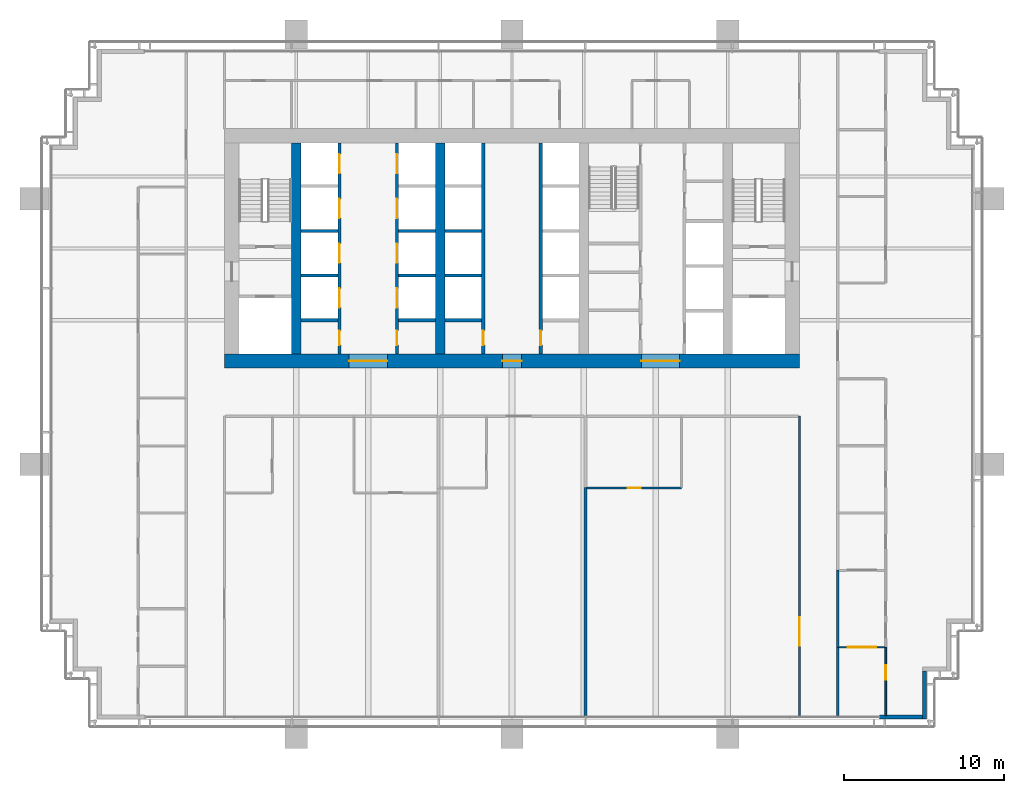
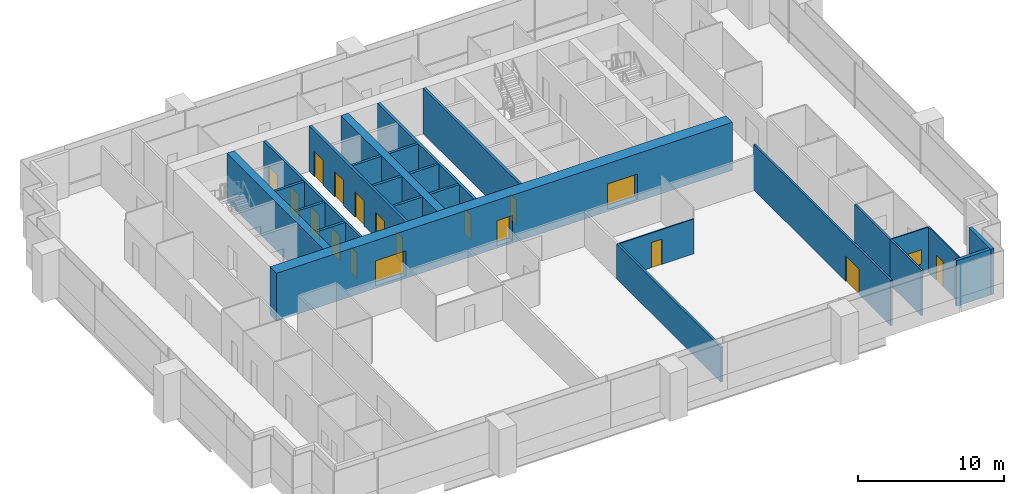
# One storey, part 11 of 17: 25 walls, 18 doors, 1 window, 19 openings.
"""IFC4 building model written with IfcOpenShell, lengths in metres."""

from ifc_helpers import new_model, si_unit, direction, frame, frame_2d, origin, place, context, subcontext, project, spatial, rectangle, extrude, material, layer, layer_set, type_object, element, fill, save


model = new_model("IFC4")

# Units and contexts
model_context = context("Model", 3, precision=1e-05, world=origin(), true_north=direction((0.0, 1.0)))
body_context = subcontext(model_context, "Body", "Model", "MODEL_VIEW")
ifc_project = project(units=[si_unit("LENGTHUNIT", "METRE"), si_unit("AREAUNIT", "SQUARE_METRE"), si_unit("VOLUMEUNIT", "CUBIC_METRE"), si_unit("PLANEANGLEUNIT", "RADIAN"), si_unit("MASSUNIT", "GRAM", prefix="KILO")], contexts=[model_context])

# Site, building, storey
site_placement = place(None, origin())
site = spatial("IfcSite", under=ifc_project, at=site_placement, CompositionType="ELEMENT")
building_placement = place(site_placement, origin())
building = spatial("IfcBuilding", under=site, at=building_placement, Name="Rattan Terrace Tower", CompositionType="ELEMENT")
storey_placement = place(building_placement, frame((0.0, 0.0, 146.10009765625)))
storey = spatial("IfcBuildingStorey", under=building, at=storey_placement, Name="L33", CompositionType="ELEMENT", Elevation=146.10009765625)

# Wall, openings, doors
ifc_material_1 = material(Name="Concrete C60/75", Category="concrete")
ifc_layer_1 = layer(ifc_material_1, 0.89990234375)
ifc_layer_set_1 = layer_set([ifc_layer_1], Name="Core ring wall 900 C60/75")
wall_type_1 = type_object("IfcWallType", Name="Core ring wall 900 C60/75", PredefinedType="SHEAR", material=ifc_layer_set_1)
wall_1_placement = place(storey_placement, frame((-18.0, -7.050048828125, -0.2001953125), z_axis=(0.0, 0.0, 1.0), x_axis=(1.0, 0.0, 0.0)))
wall_1 = element("IfcWall", 1, at=wall_1_placement, inside=storey, type_object=wall_type_1, Name="Rear core wall south", PredefinedType="SHEAR", context=body_context, shape_type="SweptSolid", body=[
    extrude(rectangle(XDim=36.0, YDim=0.89990234375, at=frame_2d((18.0, 0.0))), origin(), (0.0, 0.0, 1.0), 4.0),
])
opening_1_placement = place(wall_1_placement, frame((7.800048828125, 0.0, 0.199951171875)))
opening_1 = element("IfcOpeningElement", 2, at=opening_1_placement, cuts=wall_1, Name="Opening L33-D007", PredefinedType="OPENING", context=body_context, shape_type="SweptSolid", body=[
    extrude(rectangle(XDim=2.39990234375, YDim=2.10009765625, at=frame_2d((1.199951171875, 1.050048828125))), frame((0.0, 0.46044921875, 0.0), z_axis=(0.0, -1.0, 0.0), x_axis=(1.0, 0.0, 0.0)), (0.0, 0.0, 1.0), 0.9208984375),
])
opening_2_placement = place(wall_1_placement, frame((17.39990234375, 0.0, 0.199951171875)))
opening_2 = element("IfcOpeningElement", 3, at=opening_2_placement, cuts=wall_1, Name="Opening L33-D010", PredefinedType="OPENING", context=body_context, shape_type="SweptSolid", body=[
    extrude(rectangle(XDim=1.199951171875, YDim=2.10009765625, at=frame_2d((0.60009765625, 1.050048828125))), frame((0.0, 0.46044921875, 0.0), z_axis=(0.0, -1.0, 0.0), x_axis=(1.0, 0.0, 0.0)), (0.0, 0.0, 1.0), 0.9208984375),
])
opening_3_placement = place(wall_1_placement, frame((26.10009765625, 0.0, 0.199951171875)))
opening_3 = element("IfcOpeningElement", 4, at=opening_3_placement, cuts=wall_1, Name="Opening L33-D015", PredefinedType="OPENING", context=body_context, shape_type="SweptSolid", body=[
    extrude(rectangle(XDim=2.39990234375, YDim=2.10009765625, at=frame_2d((1.199951171875, 1.050048828125))), frame((0.0, 0.46044921875, 0.0), z_axis=(0.0, -1.0, 0.0), x_axis=(1.0, 0.0, 0.0)), (0.0, 0.0, 1.0), 0.9208984375),
])
ifc_material_2 = material(Name="Hollow-metal fire door leaf")
door_type_1 = type_object("IfcDoorType", Name="Core lift lobby door 2400", OperationType="NOTDEFINED", PredefinedType="DOOR", material=ifc_material_2)
door_1_placement = place(opening_1_placement, origin())
door_1 = element("IfcDoor", 5, at=door_1_placement, inside=storey, type_object=door_type_1, Name="Door L33-D007", OperationType="DOUBLE_DOOR_DOUBLE_SWING", OverallHeight=2.10009765625, OverallWidth=2.39990234375, PredefinedType="DOOR", context=body_context, shape_type="SweptSolid", body=[
    extrude(rectangle(XDim=2.39990234375, YDim=2.10009765625, at=frame_2d((1.199951171875, 1.050048828125))), frame((0.0, 0.02490234375, 0.0), z_axis=(0.0, -1.0, 0.0), x_axis=(1.0, 0.0, 0.0)), (0.0, 0.0, 1.0), 0.050048828125),
])
fill(opening_1, door_1)
door_2_placement = place(opening_3_placement, origin())
door_2 = element("IfcDoor", 6, at=door_2_placement, inside=storey, type_object=door_type_1, Name="Door L33-D015", OperationType="DOUBLE_DOOR_DOUBLE_SWING", OverallHeight=2.10009765625, OverallWidth=2.39990234375, PredefinedType="DOOR", context=body_context, shape_type="SweptSolid", body=[
    extrude(rectangle(XDim=2.39990234375, YDim=2.10009765625, at=frame_2d((1.199951171875, 1.050048828125))), frame((0.0, 0.02490234375, 0.0), z_axis=(0.0, -1.0, 0.0), x_axis=(1.0, 0.0, 0.0)), (0.0, 0.0, 1.0), 0.050048828125),
])
fill(opening_3, door_2)
ifc_material_3 = material(Name="Hollow-metal fire door leaf")
door_type_2 = type_object("IfcDoorType", Name="Core riser door 1200", OperationType="NOTDEFINED", PredefinedType="DOOR", material=ifc_material_3)
door_3_placement = place(opening_2_placement, origin())
door_3 = element("IfcDoor", 7, at=door_3_placement, inside=storey, type_object=door_type_2, Name="Door L33-D010", OperationType="SINGLE_SWING_RIGHT", OverallHeight=2.10009765625, OverallWidth=1.199951171875, PredefinedType="DOOR", context=body_context, shape_type="SweptSolid", body=[
    extrude(rectangle(XDim=1.199951171875, YDim=2.10009765625, at=frame_2d((0.60009765625, 1.050048828125))), frame((0.0, 0.02490234375, 0.0), z_axis=(0.0, -1.0, 0.0), x_axis=(1.0, 0.0, 0.0)), (0.0, 0.0, 1.0), 0.050048828125),
])
fill(opening_2, door_3)

# Walls
ifc_material_4 = material(Name="Concrete C60/75", Category="concrete")
ifc_layer_2 = layer(ifc_material_4, 0.60009765625)
ifc_layer_set_2 = layer_set([ifc_layer_2], Name="Core spine wall 600 C60/75")
wall_type_2 = type_object("IfcWallType", Name="Core spine wall 600 C60/75", PredefinedType="SHEAR", material=ifc_layer_set_2)
for number, where, z_axis, x_axis, name in (
    (8, (-13.5, -6.60009765625, -0.2001953125), (0.0, 0.0, 1.0), (0.0, 1.0, 0.0), "Core spine wall 1"),
    (9, (-4.5, -6.60009765625, -0.2001953125), (0.0, 0.0, 1.0), (0.0, 1.0, 0.0), "Core spine wall 2"),
):
    element("IfcWall", number, at=place(storey_placement, frame(where, z_axis=z_axis, x_axis=x_axis)), inside=storey, type_object=wall_type_2, Name=name, PredefinedType="SHEAR", context=body_context, shape_type="SweptSolid", body=[
        extrude(rectangle(XDim=13.2001953125, YDim=0.60009765625, at=frame_2d((6.60009765625, 0.0))), origin(), (0.0, 0.0, 1.0), 4.0),
    ])
ifc_material_5 = material(Name="Insulated aluminium-clad stud wall", Category="aluminium")
ifc_layer_3 = layer(ifc_material_5, 0.25)
ifc_layer_set_3 = layer_set([ifc_layer_3], Name="Facade Riser Wall 250")
wall_type_3 = type_object("IfcWallType", Name="Facade Riser Wall 250", PredefinedType="SOLIDWALL", material=ifc_layer_set_3)
wall_2_placement = place(storey_placement, frame((23.0, -29.330078125, 0.0), z_axis=(0.0, 0.0, 1.0), x_axis=(1.0, 0.0, 0.0)))
element("IfcWall", 10, at=wall_2_placement, inside=storey, type_object=wall_type_3, Name="Riser wall L33-1", PredefinedType="SOLIDWALL", context=body_context, shape_type="SweptSolid", body=[
    extrude(rectangle(XDim=2.705078125, YDim=0.25, at=frame_2d((1.3525390625, 0.0))), origin(), (0.0, 0.0, 1.0), 3.7998046875),
])
wall_3_placement = place(storey_placement, frame((25.830078125, -29.455078125, 0.0), z_axis=(0.0, 0.0, 1.0), x_axis=(0.0, 1.0, 0.0)))
element("IfcWall", 11, at=wall_3_placement, inside=storey, type_object=wall_type_3, Name="Riser wall L33-2", PredefinedType="SOLIDWALL", context=body_context, shape_type="SweptSolid", body=[
    extrude(rectangle(XDim=3.0, YDim=0.25, at=frame_2d((1.5, 0.0))), origin(), (0.0, 0.0, 1.0), 3.7998046875),
])
ifc_material_6 = material(Name="Double steel stud acoustic partition, gypsum board, mineral wool, fire rated", Category="steel")
ifc_layer_4 = layer(ifc_material_6, 0.179931640625)
ifc_layer_set_4 = layer_set([ifc_layer_4], Name="Floors Acoustic Party Wall 180")
wall_type_4 = type_object("IfcWallType", Name="Floors Acoustic Party Wall 180", PredefinedType="PARTITIONING", material=ifc_layer_set_4)
wall_4_placement = place(storey_placement, frame((4.60009765625, -14.97998046875, 0.0), z_axis=(0.0, 0.0, 1.0), x_axis=(0.0, -1.0, 0.0)))
element("IfcWall", 12, at=wall_4_placement, inside=storey, type_object=wall_type_4, Name="pt-L33-081", PredefinedType="PARTITIONING", context=body_context, shape_type="SweptSolid", body=[
    extrude(rectangle(XDim=14.260009765625, YDim=0.179931640625, at=frame_2d((7.1298828125, 0.0))), origin(), (0.0, 0.0, 1.0), 2.89990234375),
])

# Wall, opening, door
ifc_material_7 = material(Name="Gypsum board partition on steel studs", Category="steel")
ifc_layer_5 = layer(ifc_material_7, 0.10009765625)
ifc_layer_set_5 = layer_set([ifc_layer_5], Name="Floors Partition 100")
wall_type_5 = type_object("IfcWallType", Name="Floors Partition 100", PredefinedType="PARTITIONING", material=ifc_layer_set_5)
wall_5_placement = place(storey_placement, frame((23.39990234375, -29.239990234375, 0.0), z_axis=(0.0, 0.0, 1.0), x_axis=(0.0, 1.0, 0.0)))
wall_5 = element("IfcWall", 13, at=wall_5_placement, inside=storey, type_object=wall_type_5, Name="pt-L33-045", PredefinedType="PARTITIONING", context=body_context, shape_type="SweptSolid", body=[
    extrude(rectangle(XDim=4.260009765625, YDim=0.10009765625, at=frame_2d((2.1298828125, 0.0))), origin(), (0.0, 0.0, 1.0), 3.7998046875),
])
opening_4_placement = place(wall_5_placement, frame((2.251953125, 0.0, 0.0)))
opening_4 = element("IfcOpeningElement", 14, at=opening_4_placement, cuts=wall_5, Name="Opening L33-D109", PredefinedType="OPENING", context=body_context, shape_type="SweptSolid", body=[
    extrude(rectangle(XDim=0.89990234375, YDim=2.10009765625, at=frame_2d((0.449951171875, 1.050048828125))), frame((0.0, 0.060546875, 0.0), z_axis=(0.0, -1.0, 0.0), x_axis=(1.0, 0.0, 0.0)), (0.0, 0.0, 1.0), 0.12109375),
])
ifc_material_8 = material(Name="Solid core timber door, painted", Category="wood")
door_type_3 = type_object("IfcDoorType", Name="Floors Door 900x2100", OperationType="NOTDEFINED", PredefinedType="DOOR", material=ifc_material_8)
door_4_placement = place(opening_4_placement, origin())
door_4 = element("IfcDoor", 15, at=door_4_placement, inside=storey, type_object=door_type_3, Name="d-L33-109", OperationType="SINGLE_SWING_RIGHT", OverallHeight=2.10009765625, OverallWidth=0.89990234375, PredefinedType="DOOR", context=body_context, shape_type="SweptSolid", body=[
    extrude(rectangle(XDim=0.89990234375, YDim=2.10009765625, at=frame_2d((0.449951171875, 1.050048828125))), frame((0.0, 0.02490234375, 0.0), z_axis=(0.0, -1.0, 0.0), x_axis=(1.0, 0.0, 0.0)), (0.0, 0.0, 1.0), 0.050048828125),
])
fill(opening_4, door_4)

# Wall, opening, window
wall_6_placement = place(storey_placement, frame((20.47509765625, -24.9599609375, 0.0), z_axis=(0.0, 0.0, 1.0), x_axis=(1.0, 0.0, 0.0)))
wall_6 = element("IfcWall", 16, at=wall_6_placement, inside=storey, type_object=wall_type_5, Name="pt-L33-055", PredefinedType="PARTITIONING", context=body_context, shape_type="SweptSolid", body=[
    extrude(rectangle(XDim=2.875, YDim=0.10009765625, at=frame_2d((1.4375, 0.0))), origin(), (0.0, 0.0, 1.0), 3.7998046875),
])
opening_5_placement = place(wall_6_placement, frame((0.537109375, 0.0, 0.89990234375)))
opening_5 = element("IfcOpeningElement", 17, at=opening_5_placement, cuts=wall_6, Name="Opening L33-W102", PredefinedType="OPENING", context=body_context, shape_type="SweptSolid", body=[
    extrude(rectangle(XDim=1.800048828125, YDim=1.199951171875, at=frame_2d((0.89990234375, 0.60009765625))), frame((0.0, 0.060546875, 0.0), z_axis=(0.0, -1.0, 0.0), x_axis=(1.0, 0.0, 0.0)), (0.0, 0.0, 1.0), 0.12109375),
])
ifc_material_9 = material(Name="Glass, clear, fixed in aluminium frame", Category="aluminium")
window_type = type_object("IfcWindowType", Name="Interior Vision Window 1800x1200", PartitioningType="SINGLE_PANEL", PredefinedType="WINDOW", material=ifc_material_9)
window_placement = place(opening_5_placement, origin())
window = element("IfcWindow", 18, at=window_placement, inside=storey, type_object=window_type, Name="w-L33-102", OverallHeight=1.199951171875, OverallWidth=1.800048828125, PartitioningType="SINGLE_PANEL", PredefinedType="WINDOW", context=body_context, shape_type="SweptSolid", body=[
    extrude(rectangle(XDim=1.800048828125, YDim=1.199951171875, at=frame_2d((0.89990234375, 0.60009765625))), frame((0.0, 0.030029296875, 0.0), z_axis=(0.0, -1.0, 0.0), x_axis=(1.0, 0.0, 0.0)), (0.0, 0.0, 1.0), 0.06005859375),
])
fill(opening_5, window)

# Wall, opening, door
wall_7_placement = place(storey_placement, frame((4.68994140625, -15.0, 0.0), z_axis=(0.0, 0.0, 1.0), x_axis=(1.0, 0.0, 0.0)))
wall_7 = element("IfcWall", 19, at=wall_7_placement, inside=storey, type_object=wall_type_5, Name="pt-L33-083", PredefinedType="PARTITIONING", context=body_context, shape_type="SweptSolid", body=[
    extrude(rectangle(XDim=5.91015625, YDim=0.10009765625, at=frame_2d((2.955078125, 0.0))), origin(), (0.0, 0.0, 1.0), 2.89990234375),
])
opening_6_placement = place(wall_7_placement, frame((2.554931640625, 0.0, 0.0)))
opening_6 = element("IfcOpeningElement", 20, at=opening_6_placement, cuts=wall_7, Name="Opening L33-D129", PredefinedType="OPENING", context=body_context, shape_type="SweptSolid", body=[
    extrude(rectangle(XDim=0.800048828125, YDim=2.10009765625, at=frame_2d((0.39990234375, 1.050048828125))), frame((0.0, 0.060546875, 0.0), z_axis=(0.0, -1.0, 0.0), x_axis=(1.0, 0.0, 0.0)), (0.0, 0.0, 1.0), 0.12109375),
])
ifc_material_10 = material(Name="Solid core timber door, painted", Category="wood")
door_type_4 = type_object("IfcDoorType", Name="Floors Store Door 800x2100", OperationType="NOTDEFINED", PredefinedType="DOOR", material=ifc_material_10)
door_5_placement = place(opening_6_placement, origin())
door_5 = element("IfcDoor", 21, at=door_5_placement, inside=storey, type_object=door_type_4, Name="d-L33-129", OperationType="SINGLE_SWING_RIGHT", OverallHeight=2.10009765625, OverallWidth=0.800048828125, PredefinedType="DOOR", context=body_context, shape_type="SweptSolid", body=[
    extrude(rectangle(XDim=0.800048828125, YDim=2.10009765625, at=frame_2d((0.39990234375, 1.050048828125))), frame((0.0, 0.02490234375, 0.0), z_axis=(0.0, -1.0, 0.0), x_axis=(1.0, 0.0, 0.0)), (0.0, 0.0, 1.0), 0.050048828125),
])
fill(opening_6, door_5)

# Walls
ifc_material_11 = material(Name="Gypsum board partition on steel studs, fire rated", Category="steel")
ifc_layer_6 = layer(ifc_material_11, 0.14990234375)
ifc_layer_set_6 = layer_set([ifc_layer_6], Name="Floors Tenancy Wall 150")
wall_type_6 = type_object("IfcWallType", Name="Floors Tenancy Wall 150", PredefinedType="PARTITIONING", material=ifc_layer_set_6)
wall_8_placement = place(storey_placement, frame((20.39990234375, -24.97998046875, 0.0), z_axis=(0.0, 0.0, 1.0), x_axis=(0.0, -1.0, 0.0)))
element("IfcWall", 22, at=wall_8_placement, inside=storey, type_object=wall_type_6, Name="pt-L33-010", PredefinedType="PARTITIONING", context=body_context, shape_type="SweptSolid", body=[
    extrude(rectangle(XDim=4.260009765625, YDim=0.14990234375, at=frame_2d((2.1298828125, 0.0))), origin(), (0.0, 0.0, 1.0), 3.7998046875),
])
wall_9_placement = place(storey_placement, frame((20.39990234375, -20.139892578125, 0.0), z_axis=(0.0, 0.0, 1.0), x_axis=(0.0, -1.0, 0.0)))
element("IfcWall", 23, at=wall_9_placement, inside=storey, type_object=wall_type_6, Name="pt-L33-011", PredefinedType="PARTITIONING", context=body_context, shape_type="SweptSolid", body=[
    extrude(rectangle(XDim=4.840087890625, YDim=0.14990234375, at=frame_2d((2.419921875, 0.0))), origin(), (0.0, 0.0, 1.0), 3.7998046875),
])

# Wall, opening, door
wall_10_placement = place(storey_placement, frame((18.0, -29.239990234375, 0.0), z_axis=(0.0, 0.0, 1.0), x_axis=(0.0, 1.0, 0.0)))
wall_10 = element("IfcWall", 24, at=wall_10_placement, inside=storey, type_object=wall_type_6, Name="pt-L33-029", PredefinedType="PARTITIONING", context=body_context, shape_type="SweptSolid", body=[
    extrude(rectangle(XDim=18.739990234375, YDim=0.14990234375, at=frame_2d((9.3701171875, 0.0))), origin(), (0.0, 0.0, 1.0), 3.7998046875),
])
opening_7_placement = place(wall_10_placement, frame((4.360107421875, 0.0, 0.0)))
opening_7 = element("IfcOpeningElement", 25, at=opening_7_placement, cuts=wall_10, Name="Opening L33-D128", PredefinedType="OPENING", context=body_context, shape_type="SweptSolid", body=[
    extrude(rectangle(XDim=1.800048828125, YDim=2.10009765625, at=frame_2d((0.89990234375, 1.050048828125))), frame((0.0, 0.08544921875, 0.0), z_axis=(0.0, -1.0, 0.0), x_axis=(1.0, 0.0, 0.0)), (0.0, 0.0, 1.0), 0.1708984375),
])
ifc_material_12 = material(Name="Steel fire door set", Category="steel")
door_type_5 = type_object("IfcDoorType", Name="Floors Fire Door Pair FD30S 1800x2100", OperationType="NOTDEFINED", PredefinedType="DOOR", material=ifc_material_12)
door_6_placement = place(opening_7_placement, origin())
door_6 = element("IfcDoor", 26, at=door_6_placement, inside=storey, type_object=door_type_5, Name="d-L33-128", OperationType="DOUBLE_DOOR_SINGLE_SWING", OverallHeight=2.10009765625, OverallWidth=1.800048828125, PredefinedType="DOOR", context=body_context, shape_type="SweptSolid", body=[
    extrude(rectangle(XDim=1.800048828125, YDim=2.10009765625, at=frame_2d((0.89990234375, 1.050048828125))), frame((0.0, 0.02490234375, 0.0), z_axis=(0.0, -1.0, 0.0), x_axis=(1.0, 0.0, 0.0)), (0.0, 0.0, 1.0), 0.050048828125),
])
fill(opening_7, door_6)

# Wall, openings, doors
ifc_material_13 = material(Name="Gypsum shaft wall system")
ifc_layer_7 = layer(ifc_material_13, 0.199951171875)
ifc_layer_set_7 = layer_set([ifc_layer_7], Name="Lift shaft wall 200")
wall_type_7 = type_object("IfcWallType", Name="Lift shaft wall 200", PredefinedType="PARTITIONING", material=ifc_layer_set_7)
wall_11_placement = place(storey_placement, frame((-10.800048828125, -6.60009765625, 0.0), z_axis=(0.0, 0.0, 1.0), x_axis=(0.0, 1.0, 0.0)))
wall_11 = element("IfcWall", 27, at=wall_11_placement, inside=storey, type_object=wall_type_7, Name="Lift shaft front wall", PredefinedType="PARTITIONING", context=body_context, shape_type="SweptSolid", body=[
    extrude(rectangle(XDim=13.2001953125, YDim=0.199951171875, at=frame_2d((6.60009765625, 0.0))), origin(), (0.0, 0.0, 1.0), 3.7998046875),
])
opening_8_placement = place(wall_11_placement, frame((0.550048828125, 0.0, 0.0)))
opening_8 = element("IfcOpeningElement", 28, at=opening_8_placement, cuts=wall_11, Name="Opening L33-D005", PredefinedType="OPENING", context=body_context, shape_type="SweptSolid", body=[
    extrude(rectangle(XDim=0.89990234375, YDim=2.10009765625, at=frame_2d((0.449951171875, 1.050048828125))), frame((0.0, 0.110595703125, 0.0), z_axis=(0.0, -1.0, 0.0), x_axis=(1.0, 0.0, 0.0)), (0.0, 0.0, 1.0), 0.220947265625),
])
opening_9_placement = place(wall_11_placement, frame((2.89990234375, 0.0, 0.0)))
opening_9 = element("IfcOpeningElement", 29, at=opening_9_placement, cuts=wall_11, Name="Opening L33-LD-LR1", PredefinedType="OPENING", context=body_context, shape_type="SweptSolid", body=[
    extrude(rectangle(XDim=1.199951171875, YDim=2.10009765625, at=frame_2d((0.60009765625, 1.050048828125))), frame((0.0, 0.110595703125, 0.0), z_axis=(0.0, -1.0, 0.0), x_axis=(1.0, 0.0, 0.0)), (0.0, 0.0, 1.0), 0.220947265625),
])
opening_10_placement = place(wall_11_placement, frame((5.699951171875, 0.0, 0.0)))
opening_10 = element("IfcOpeningElement", 30, at=opening_10_placement, cuts=wall_11, Name="Opening L33-LD-LR2", PredefinedType="OPENING", context=body_context, shape_type="SweptSolid", body=[
    extrude(rectangle(XDim=1.199951171875, YDim=2.10009765625, at=frame_2d((0.60009765625, 1.050048828125))), frame((0.0, 0.110595703125, 0.0), z_axis=(0.0, -1.0, 0.0), x_axis=(1.0, 0.0, 0.0)), (0.0, 0.0, 1.0), 0.220947265625),
])
opening_11_placement = place(wall_11_placement, frame((8.5, 0.0, 0.0)))
opening_11 = element("IfcOpeningElement", 31, at=opening_11_placement, cuts=wall_11, Name="Opening L33-LD-LR3", PredefinedType="OPENING", context=body_context, shape_type="SweptSolid", body=[
    extrude(rectangle(XDim=1.199951171875, YDim=2.10009765625, at=frame_2d((0.60009765625, 1.050048828125))), frame((0.0, 0.110595703125, 0.0), z_axis=(0.0, -1.0, 0.0), x_axis=(1.0, 0.0, 0.0)), (0.0, 0.0, 1.0), 0.220947265625),
])
opening_12_placement = place(wall_11_placement, frame((11.300048828125, 0.0, 0.0)))
opening_12 = element("IfcOpeningElement", 32, at=opening_12_placement, cuts=wall_11, Name="Opening L33-LD-LR4", PredefinedType="OPENING", context=body_context, shape_type="SweptSolid", body=[
    extrude(rectangle(XDim=1.199951171875, YDim=2.10009765625, at=frame_2d((0.60009765625, 1.050048828125))), frame((0.0, 0.110595703125, 0.0), z_axis=(0.0, -1.0, 0.0), x_axis=(1.0, 0.0, 0.0)), (0.0, 0.0, 1.0), 0.220947265625),
])
ifc_material_14 = material(Name="Brushed stainless landing door panel")
door_type_6 = type_object("IfcDoorType", Name="Core lift landing door 1200", OperationType="DOUBLE_DOOR_SLIDING", PredefinedType="DOOR", material=ifc_material_14)
door_7_placement = place(opening_9_placement, origin())
door_7 = element("IfcDoor", 33, at=door_7_placement, inside=storey, type_object=door_type_6, Name="Door L33-LD-LR1", OperationType="DOUBLE_DOOR_SLIDING", OverallHeight=2.10009765625, OverallWidth=1.199951171875, PredefinedType="DOOR", context=body_context, shape_type="SweptSolid", body=[
    extrude(rectangle(XDim=1.199951171875, YDim=2.10009765625, at=frame_2d((0.60009765625, 1.050048828125))), frame((0.0, 0.02490234375, 0.0), z_axis=(0.0, -1.0, 0.0), x_axis=(1.0, 0.0, 0.0)), (0.0, 0.0, 1.0), 0.050048828125),
])
fill(opening_9, door_7)
door_8_placement = place(opening_10_placement, origin())
door_8 = element("IfcDoor", 34, at=door_8_placement, inside=storey, type_object=door_type_6, Name="Door L33-LD-LR2", OperationType="DOUBLE_DOOR_SLIDING", OverallHeight=2.10009765625, OverallWidth=1.199951171875, PredefinedType="DOOR", context=body_context, shape_type="SweptSolid", body=[
    extrude(rectangle(XDim=1.199951171875, YDim=2.10009765625, at=frame_2d((0.60009765625, 1.050048828125))), frame((0.0, 0.02490234375, 0.0), z_axis=(0.0, -1.0, 0.0), x_axis=(1.0, 0.0, 0.0)), (0.0, 0.0, 1.0), 0.050048828125),
])
fill(opening_10, door_8)
door_9_placement = place(opening_11_placement, origin())
door_9 = element("IfcDoor", 35, at=door_9_placement, inside=storey, type_object=door_type_6, Name="Door L33-LD-LR3", OperationType="DOUBLE_DOOR_SLIDING", OverallHeight=2.10009765625, OverallWidth=1.199951171875, PredefinedType="DOOR", context=body_context, shape_type="SweptSolid", body=[
    extrude(rectangle(XDim=1.199951171875, YDim=2.10009765625, at=frame_2d((0.60009765625, 1.050048828125))), frame((0.0, 0.02490234375, 0.0), z_axis=(0.0, -1.0, 0.0), x_axis=(1.0, 0.0, 0.0)), (0.0, 0.0, 1.0), 0.050048828125),
])
fill(opening_11, door_9)
door_10_placement = place(opening_12_placement, origin())
door_10 = element("IfcDoor", 36, at=door_10_placement, inside=storey, type_object=door_type_6, Name="Door L33-LD-LR4", OperationType="DOUBLE_DOOR_SLIDING", OverallHeight=2.10009765625, OverallWidth=1.199951171875, PredefinedType="DOOR", context=body_context, shape_type="SweptSolid", body=[
    extrude(rectangle(XDim=1.199951171875, YDim=2.10009765625, at=frame_2d((0.60009765625, 1.050048828125))), frame((0.0, 0.02490234375, 0.0), z_axis=(0.0, -1.0, 0.0), x_axis=(1.0, 0.0, 0.0)), (0.0, 0.0, 1.0), 0.050048828125),
])
fill(opening_12, door_10)
ifc_material_15 = material(Name="Hollow-metal fire door leaf")
door_type_7 = type_object("IfcDoorType", Name="Core riser door 900", OperationType="NOTDEFINED", PredefinedType="DOOR", material=ifc_material_15)
door_11_placement = place(opening_8_placement, origin())
door_11 = element("IfcDoor", 37, at=door_11_placement, inside=storey, type_object=door_type_7, Name="Door L33-D005", OperationType="SINGLE_SWING_RIGHT", OverallHeight=2.10009765625, OverallWidth=0.89990234375, PredefinedType="DOOR", context=body_context, shape_type="SweptSolid", body=[
    extrude(rectangle(XDim=0.89990234375, YDim=2.10009765625, at=frame_2d((0.449951171875, 1.050048828125))), frame((0.0, 0.02490234375, 0.0), z_axis=(0.0, -1.0, 0.0), x_axis=(1.0, 0.0, 0.0)), (0.0, 0.0, 1.0), 0.050048828125),
])
fill(opening_8, door_11)

wall_12_placement = place(storey_placement, frame((-7.199951171875, -6.60009765625, 0.0), z_axis=(0.0, 0.0, 1.0), x_axis=(0.0, 1.0, 0.0)))
wall_12 = element("IfcWall", 38, at=wall_12_placement, inside=storey, type_object=wall_type_7, Name="Lift shaft front wall", PredefinedType="PARTITIONING", context=body_context, shape_type="SweptSolid", body=[
    extrude(rectangle(XDim=13.2001953125, YDim=0.199951171875, at=frame_2d((6.60009765625, 0.0))), origin(), (0.0, 0.0, 1.0), 3.7998046875),
])
opening_13_placement = place(wall_12_placement, frame((0.550048828125, 0.0, 0.0)))
opening_13 = element("IfcOpeningElement", 39, at=opening_13_placement, cuts=wall_12, Name="Opening L33-D006", PredefinedType="OPENING", context=body_context, shape_type="SweptSolid", body=[
    extrude(rectangle(XDim=0.89990234375, YDim=2.10009765625, at=frame_2d((0.449951171875, 1.050048828125))), frame((0.0, 0.110595703125, 0.0), z_axis=(0.0, -1.0, 0.0), x_axis=(1.0, 0.0, 0.0)), (0.0, 0.0, 1.0), 0.220947265625),
])
opening_14_placement = place(wall_12_placement, frame((2.89990234375, 0.0, 0.0)))
opening_14 = element("IfcOpeningElement", 40, at=opening_14_placement, cuts=wall_12, Name="Opening L33-LD-LR5", PredefinedType="OPENING", context=body_context, shape_type="SweptSolid", body=[
    extrude(rectangle(XDim=1.199951171875, YDim=2.10009765625, at=frame_2d((0.60009765625, 1.050048828125))), frame((0.0, 0.110595703125, 0.0), z_axis=(0.0, -1.0, 0.0), x_axis=(1.0, 0.0, 0.0)), (0.0, 0.0, 1.0), 0.220947265625),
])
opening_15_placement = place(wall_12_placement, frame((5.699951171875, 0.0, 0.0)))
opening_15 = element("IfcOpeningElement", 41, at=opening_15_placement, cuts=wall_12, Name="Opening L33-LD-LR6", PredefinedType="OPENING", context=body_context, shape_type="SweptSolid", body=[
    extrude(rectangle(XDim=1.199951171875, YDim=2.10009765625, at=frame_2d((0.60009765625, 1.050048828125))), frame((0.0, 0.110595703125, 0.0), z_axis=(0.0, -1.0, 0.0), x_axis=(1.0, 0.0, 0.0)), (0.0, 0.0, 1.0), 0.220947265625),
])
opening_16_placement = place(wall_12_placement, frame((8.5, 0.0, 0.0)))
opening_16 = element("IfcOpeningElement", 42, at=opening_16_placement, cuts=wall_12, Name="Opening L33-LD-LR7", PredefinedType="OPENING", context=body_context, shape_type="SweptSolid", body=[
    extrude(rectangle(XDim=1.199951171875, YDim=2.10009765625, at=frame_2d((0.60009765625, 1.050048828125))), frame((0.0, 0.110595703125, 0.0), z_axis=(0.0, -1.0, 0.0), x_axis=(1.0, 0.0, 0.0)), (0.0, 0.0, 1.0), 0.220947265625),
])
opening_17_placement = place(wall_12_placement, frame((11.300048828125, 0.0, 0.0)))
opening_17 = element("IfcOpeningElement", 43, at=opening_17_placement, cuts=wall_12, Name="Opening L33-LD-LR8", PredefinedType="OPENING", context=body_context, shape_type="SweptSolid", body=[
    extrude(rectangle(XDim=1.199951171875, YDim=2.10009765625, at=frame_2d((0.60009765625, 1.050048828125))), frame((0.0, 0.110595703125, 0.0), z_axis=(0.0, -1.0, 0.0), x_axis=(1.0, 0.0, 0.0)), (0.0, 0.0, 1.0), 0.220947265625),
])
door_12_placement = place(opening_14_placement, origin())
door_12 = element("IfcDoor", 44, at=door_12_placement, inside=storey, type_object=door_type_6, Name="Door L33-LD-LR5", OperationType="DOUBLE_DOOR_SLIDING", OverallHeight=2.10009765625, OverallWidth=1.199951171875, PredefinedType="DOOR", context=body_context, shape_type="SweptSolid", body=[
    extrude(rectangle(XDim=1.199951171875, YDim=2.10009765625, at=frame_2d((0.60009765625, 1.050048828125))), frame((0.0, 0.02490234375, 0.0), z_axis=(0.0, -1.0, 0.0), x_axis=(1.0, 0.0, 0.0)), (0.0, 0.0, 1.0), 0.050048828125),
])
fill(opening_14, door_12)
door_13_placement = place(opening_15_placement, origin())
door_13 = element("IfcDoor", 45, at=door_13_placement, inside=storey, type_object=door_type_6, Name="Door L33-LD-LR6", OperationType="DOUBLE_DOOR_SLIDING", OverallHeight=2.10009765625, OverallWidth=1.199951171875, PredefinedType="DOOR", context=body_context, shape_type="SweptSolid", body=[
    extrude(rectangle(XDim=1.199951171875, YDim=2.10009765625, at=frame_2d((0.60009765625, 1.050048828125))), frame((0.0, 0.02490234375, 0.0), z_axis=(0.0, -1.0, 0.0), x_axis=(1.0, 0.0, 0.0)), (0.0, 0.0, 1.0), 0.050048828125),
])
fill(opening_15, door_13)
door_14_placement = place(opening_16_placement, origin())
door_14 = element("IfcDoor", 46, at=door_14_placement, inside=storey, type_object=door_type_6, Name="Door L33-LD-LR7", OperationType="DOUBLE_DOOR_SLIDING", OverallHeight=2.10009765625, OverallWidth=1.199951171875, PredefinedType="DOOR", context=body_context, shape_type="SweptSolid", body=[
    extrude(rectangle(XDim=1.199951171875, YDim=2.10009765625, at=frame_2d((0.60009765625, 1.050048828125))), frame((0.0, 0.02490234375, 0.0), z_axis=(0.0, -1.0, 0.0), x_axis=(1.0, 0.0, 0.0)), (0.0, 0.0, 1.0), 0.050048828125),
])
fill(opening_16, door_14)
door_15_placement = place(opening_17_placement, origin())
door_15 = element("IfcDoor", 47, at=door_15_placement, inside=storey, type_object=door_type_6, Name="Door L33-LD-LR8", OperationType="DOUBLE_DOOR_SLIDING", OverallHeight=2.10009765625, OverallWidth=1.199951171875, PredefinedType="DOOR", context=body_context, shape_type="SweptSolid", body=[
    extrude(rectangle(XDim=1.199951171875, YDim=2.10009765625, at=frame_2d((0.60009765625, 1.050048828125))), frame((0.0, 0.02490234375, 0.0), z_axis=(0.0, -1.0, 0.0), x_axis=(1.0, 0.0, 0.0)), (0.0, 0.0, 1.0), 0.050048828125),
])
fill(opening_17, door_15)
door_16_placement = place(opening_13_placement, origin())
door_16 = element("IfcDoor", 48, at=door_16_placement, inside=storey, type_object=door_type_7, Name="Door L33-D006", OperationType="SINGLE_SWING_LEFT", OverallHeight=2.10009765625, OverallWidth=0.89990234375, PredefinedType="DOOR", context=body_context, shape_type="SweptSolid", body=[
    extrude(rectangle(XDim=0.89990234375, YDim=2.10009765625, at=frame_2d((0.449951171875, 1.050048828125))), frame((0.0, 0.02490234375, 0.0), z_axis=(0.0, -1.0, 0.0), x_axis=(1.0, 0.0, 0.0)), (0.0, 0.0, 1.0), 0.050048828125),
])
fill(opening_13, door_16)

# Walls
for number, where, z_axis, x_axis, name in (
    (49, (-13.199951171875, -1.699951171875, 0.0), (0.0, 0.0, 1.0), (1.0, 0.0, 0.0), "Lift shaft wall"),
    (50, (-13.199951171875, 1.10009765625, 0.0), (0.0, 0.0, 1.0), (1.0, 0.0, 0.0), "Lift shaft wall"),
    (51, (-13.199951171875, -4.5, 0.0), (0.0, 0.0, 1.0), (1.0, 0.0, 0.0), "Lift shaft wall"),
    (52, (-7.10009765625, -1.699951171875, 0.0), (0.0, 0.0, 1.0), (1.0, 0.0, 0.0), "Lift shaft wall"),
    (53, (-7.10009765625, 1.10009765625, 0.0), (0.0, 0.0, 1.0), (1.0, 0.0, 0.0), "Lift shaft wall"),
    (54, (-7.10009765625, -4.5, 0.0), (0.0, 0.0, 1.0), (1.0, 0.0, 0.0), "Lift shaft wall"),
):
    element("IfcWall", number, at=place(storey_placement, frame(where, z_axis=z_axis, x_axis=x_axis)), inside=storey, type_object=wall_type_7, Name=name, PredefinedType="PARTITIONING", context=body_context, shape_type="SweptSolid", body=[
        extrude(rectangle(XDim=2.300048828125, YDim=0.199951171875, at=frame_2d((1.14990234375, 0.0))), origin(), (0.0, 0.0, 1.0), 3.7998046875),
    ])

# Wall, opening, door
wall_13_placement = place(storey_placement, frame((-1.800048828125, -6.60009765625, 0.0), z_axis=(0.0, 0.0, 1.0), x_axis=(0.0, 1.0, 0.0)))
wall_13 = element("IfcWall", 55, at=wall_13_placement, inside=storey, type_object=wall_type_7, Name="Lift shaft front wall", PredefinedType="PARTITIONING", context=body_context, shape_type="SweptSolid", body=[
    extrude(rectangle(XDim=13.2001953125, YDim=0.199951171875, at=frame_2d((6.60009765625, 0.0))), origin(), (0.0, 0.0, 1.0), 3.7998046875),
])
opening_18_placement = place(wall_13_placement, frame((0.550048828125, 0.0, 0.0)))
opening_18 = element("IfcOpeningElement", 56, at=opening_18_placement, cuts=wall_13, Name="Opening L33-D008", PredefinedType="OPENING", context=body_context, shape_type="SweptSolid", body=[
    extrude(rectangle(XDim=0.89990234375, YDim=2.10009765625, at=frame_2d((0.449951171875, 1.050048828125))), frame((0.0, 0.110595703125, 0.0), z_axis=(0.0, -1.0, 0.0), x_axis=(1.0, 0.0, 0.0)), (0.0, 0.0, 1.0), 0.220947265625),
])
door_17_placement = place(opening_18_placement, origin())
door_17 = element("IfcDoor", 57, at=door_17_placement, inside=storey, type_object=door_type_7, Name="Door L33-D008", OperationType="SINGLE_SWING_RIGHT", OverallHeight=2.10009765625, OverallWidth=0.89990234375, PredefinedType="DOOR", context=body_context, shape_type="SweptSolid", body=[
    extrude(rectangle(XDim=0.89990234375, YDim=2.10009765625, at=frame_2d((0.449951171875, 1.050048828125))), frame((0.0, 0.02490234375, 0.0), z_axis=(0.0, -1.0, 0.0), x_axis=(1.0, 0.0, 0.0)), (0.0, 0.0, 1.0), 0.050048828125),
])
fill(opening_18, door_17)

wall_14_placement = place(storey_placement, frame((1.800048828125, -6.60009765625, 0.0), z_axis=(0.0, 0.0, 1.0), x_axis=(0.0, 1.0, 0.0)))
wall_14 = element("IfcWall", 58, at=wall_14_placement, inside=storey, type_object=wall_type_7, Name="Lift shaft front wall", PredefinedType="PARTITIONING", context=body_context, shape_type="SweptSolid", body=[
    extrude(rectangle(XDim=13.2001953125, YDim=0.199951171875, at=frame_2d((6.60009765625, 0.0))), origin(), (0.0, 0.0, 1.0), 3.7998046875),
])
opening_19_placement = place(wall_14_placement, frame((0.550048828125, 0.0, 0.0)))
opening_19 = element("IfcOpeningElement", 59, at=opening_19_placement, cuts=wall_14, Name="Opening L33-D009", PredefinedType="OPENING", context=body_context, shape_type="SweptSolid", body=[
    extrude(rectangle(XDim=0.89990234375, YDim=2.10009765625, at=frame_2d((0.449951171875, 1.050048828125))), frame((0.0, 0.110595703125, 0.0), z_axis=(0.0, -1.0, 0.0), x_axis=(1.0, 0.0, 0.0)), (0.0, 0.0, 1.0), 0.220947265625),
])
door_18_placement = place(opening_19_placement, origin())
door_18 = element("IfcDoor", 60, at=door_18_placement, inside=storey, type_object=door_type_7, Name="Door L33-D009", OperationType="SINGLE_SWING_LEFT", OverallHeight=2.10009765625, OverallWidth=0.89990234375, PredefinedType="DOOR", context=body_context, shape_type="SweptSolid", body=[
    extrude(rectangle(XDim=0.89990234375, YDim=2.10009765625, at=frame_2d((0.449951171875, 1.050048828125))), frame((0.0, 0.02490234375, 0.0), z_axis=(0.0, -1.0, 0.0), x_axis=(1.0, 0.0, 0.0)), (0.0, 0.0, 1.0), 0.050048828125),
])
fill(opening_19, door_18)

# Walls
for number, where, z_axis, x_axis, name in (
    (61, (-4.199951171875, -1.699951171875, 0.0), (0.0, 0.0, 1.0), (1.0, 0.0, 0.0), "Lift shaft wall"),
    (62, (-4.199951171875, 1.10009765625, 0.0), (0.0, 0.0, 1.0), (1.0, 0.0, 0.0), "Lift shaft wall"),
    (63, (-4.199951171875, -4.5, 0.0), (0.0, 0.0, 1.0), (1.0, 0.0, 0.0), "Lift shaft wall"),
):
    element("IfcWall", number, at=place(storey_placement, frame(where, z_axis=z_axis, x_axis=x_axis)), inside=storey, type_object=wall_type_7, Name=name, PredefinedType="PARTITIONING", context=body_context, shape_type="SweptSolid", body=[
        extrude(rectangle(XDim=2.300048828125, YDim=0.199951171875, at=frame_2d((1.14990234375, 0.0))), origin(), (0.0, 0.0, 1.0), 3.7998046875),
    ])

save(model, "model.ifc")
